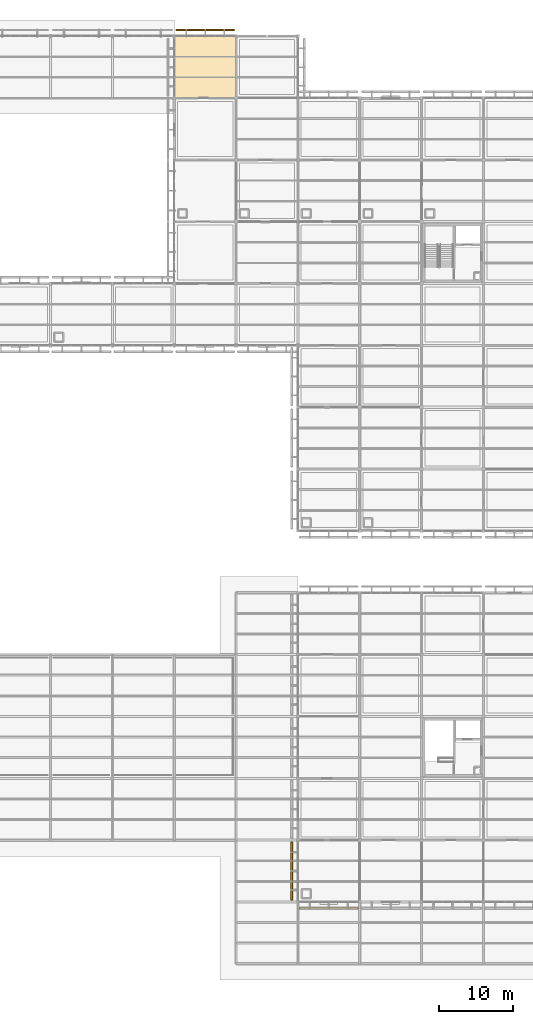
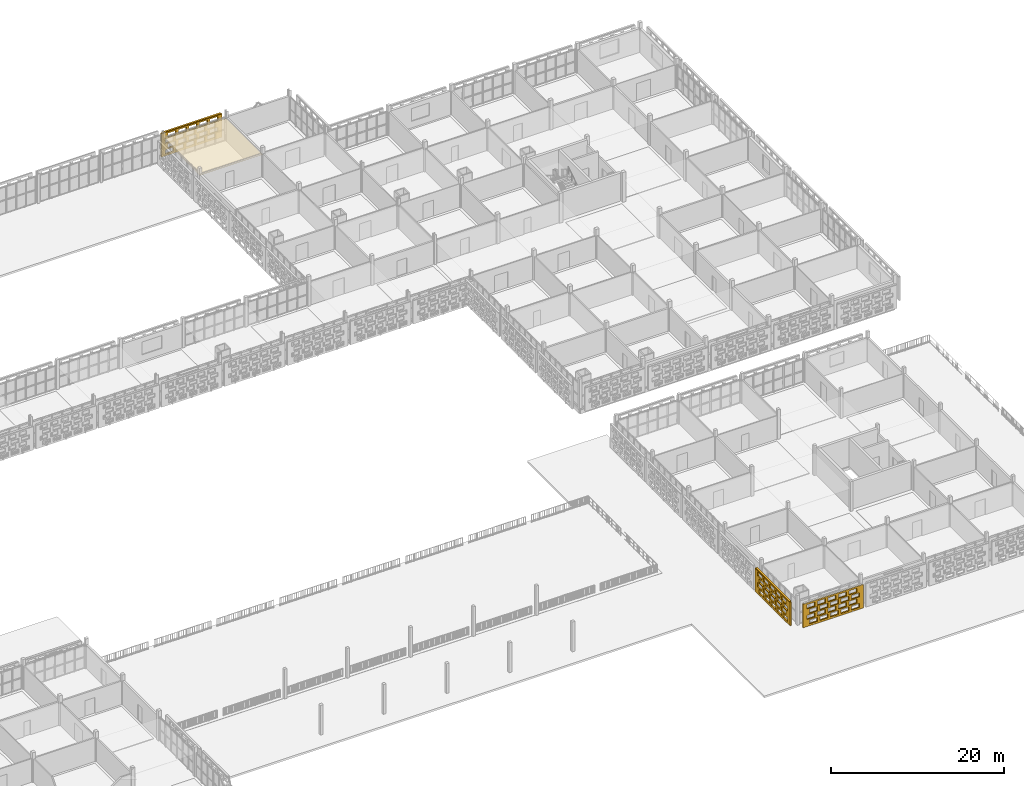
# One storey, part 150 of 166: 4 coverings, 2 shading devices, 60 openings.
"""IFC4 building model written with IfcOpenShell, lengths in metres."""

from ifc_helpers import new_model, si_unit, direction, frame, frame_2d, origin, origin_2d, place, context, subcontext, project, spatial, rectangle, extrude, material, layer, layer_set, type_object, element, save


model = new_model("IFC4")

# Units and contexts
model_context = context("Model", 3, precision=1e-05, world=origin(), true_north=direction((0.0, 1.0)))
body_context = subcontext(model_context, "Body", "Model", "MODEL_VIEW")
ifc_project = project(units=[si_unit("LENGTHUNIT", "METRE"), si_unit("AREAUNIT", "SQUARE_METRE"), si_unit("VOLUMEUNIT", "CUBIC_METRE"), si_unit("PLANEANGLEUNIT", "RADIAN"), si_unit("MASSUNIT", "GRAM", prefix="KILO")], contexts=[model_context])

# Site, building, storey
site_placement = place(None, origin())
site = spatial("IfcSite", under=ifc_project, at=site_placement, CompositionType="ELEMENT")
building_placement = place(site_placement, origin())
building = spatial("IfcBuilding", under=site, at=building_placement, Name="Varnapada Polytechnic", CompositionType="ELEMENT")
storey_placement = place(building_placement, frame((0.0, 0.0, 9.60009765625)))
storey = spatial("IfcBuildingStorey", under=building, at=storey_placement, Name="L02", CompositionType="ELEMENT", Elevation=9.60009765625)

# Covering
ifc_material_1 = material(Name="Mineral Fibre Acoustic Ceiling Tile")
ifc_layer_1 = layer(ifc_material_1, 0.0400390625)
ifc_layer_set_1 = layer_set([ifc_layer_1], Name="Mineral Fibre Acoustic Ceiling Tile")
covering_type_1 = type_object("IfcCoveringType", Name="Suspended Ceiling CLG-01", PredefinedType="CEILING", material=ifc_layer_set_1)
covering_1_placement = place(storey_placement, frame((121.800048828125, 121.800048828125, 3.02978515625), z_axis=(0.0, 0.0, 1.0), x_axis=(1.0, 0.0, 0.0)))
element("IfcCovering", 1, at=covering_1_placement, inside=storey, type_object=covering_type_1, Name="L02 suspended acoustic ceiling (15,15)", PredefinedType="CEILING", context=body_context, shape_type="SweptSolid", body=[
    extrude(rectangle(XDim=8.419921875, YDim=8.419921875, at=origin_2d()), origin(), (0.0, 0.0, 1.0), 0.0400390625),
])

# Covering, openings
ifc_material_2 = material(Name="Earth-toned architectural terracotta screen block", Category="masonry")
ifc_layer_2 = layer(ifc_material_2, 0.1201171875)
ifc_layer_set_2 = layer_set([ifc_layer_2], Name="Earth-toned architectural terracotta screen block")
covering_type_2 = type_object("IfcCoveringType", Name="Terracotta Screen Cladding CLD-01", PredefinedType="CLADDING", material=ifc_layer_set_2)
covering_2_placement = place(storey_placement, frame((117.75, 126.85009765625, 0.0), z_axis=(0.0, 0.0, 1.0), x_axis=(1.0, 0.0, 0.0)))
covering_2 = element("IfcCovering", 2, at=covering_2_placement, inside=storey, type_object=covering_type_2, Name="L02 perforated terracotta block screen (74)", PredefinedType="CLADDING", context=body_context, shape_type="SweptSolid", body=[
    extrude(rectangle(XDim=8.10009765625, YDim=0.179931640625, at=frame_2d((4.050048828125, 0.0))), origin(), (0.0, 0.0, 1.0), 3.31982421875),
])
opening_1_placement = place(covering_2_placement, frame((0.550048828125, 0.0, 0.265625)))
element("IfcOpeningElement", 3, at=opening_1_placement, cuts=covering_2, Name="Screen perforation TBS-L02-073.1", PredefinedType="OPENING", context=body_context, shape_type="SweptSolid", body=[
    extrude(rectangle(XDim=1.0400390625, YDim=0.5810546875, at=frame_2d((0.52001953125, 0.29052734375))), frame((0.0, 0.099853515625, 0.0), z_axis=(0.0, -1.0, 0.0), x_axis=(1.0, 0.0, 0.0)), (0.0, 0.0, 1.0), 0.199951171875),
])
opening_2_placement = place(covering_2_placement, frame((1.949951171875, 0.0, 0.265625)))
element("IfcOpeningElement", 4, at=opening_2_placement, cuts=covering_2, Name="Screen perforation TBS-L02-073.2", PredefinedType="OPENING", context=body_context, shape_type="SweptSolid", body=[
    extrude(rectangle(XDim=1.0400390625, YDim=0.5810546875, at=frame_2d((0.52001953125, 0.29052734375))), frame((0.0, 0.099853515625, 0.0), z_axis=(0.0, -1.0, 0.0), x_axis=(1.0, 0.0, 0.0)), (0.0, 0.0, 1.0), 0.199951171875),
])
opening_3_placement = place(covering_2_placement, frame((3.35009765625, 0.0, 0.265625)))
element("IfcOpeningElement", 5, at=opening_3_placement, cuts=covering_2, Name="Screen perforation TBS-L02-073.3", PredefinedType="OPENING", context=body_context, shape_type="SweptSolid", body=[
    extrude(rectangle(XDim=1.0400390625, YDim=0.5810546875, at=frame_2d((0.52001953125, 0.29052734375))), frame((0.0, 0.099853515625, 0.0), z_axis=(0.0, -1.0, 0.0), x_axis=(1.0, 0.0, 0.0)), (0.0, 0.0, 1.0), 0.199951171875),
])
opening_4_placement = place(covering_2_placement, frame((4.75, 0.0, 0.265625)))
element("IfcOpeningElement", 6, at=opening_4_placement, cuts=covering_2, Name="Screen perforation TBS-L02-073.4", PredefinedType="OPENING", context=body_context, shape_type="SweptSolid", body=[
    extrude(rectangle(XDim=1.0400390625, YDim=0.5810546875, at=frame_2d((0.52001953125, 0.29052734375))), frame((0.0, 0.099853515625, 0.0), z_axis=(0.0, -1.0, 0.0), x_axis=(1.0, 0.0, 0.0)), (0.0, 0.0, 1.0), 0.199951171875),
])
opening_5_placement = place(covering_2_placement, frame((6.14990234375, 0.0, 0.265625)))
element("IfcOpeningElement", 7, at=opening_5_placement, cuts=covering_2, Name="Screen perforation TBS-L02-073.5", PredefinedType="OPENING", context=body_context, shape_type="SweptSolid", body=[
    extrude(rectangle(XDim=1.0400390625, YDim=0.5810546875, at=frame_2d((0.52001953125, 0.29052734375))), frame((0.0, 0.099853515625, 0.0), z_axis=(0.0, -1.0, 0.0), x_axis=(1.0, 0.0, 0.0)), (0.0, 0.0, 1.0), 0.199951171875),
])
opening_6_placement = place(covering_2_placement, frame((0.909912109375, 0.0, 1.0126953125)))
element("IfcOpeningElement", 8, at=opening_6_placement, cuts=covering_2, Name="Screen perforation TBS-L02-073.6", PredefinedType="OPENING", context=body_context, shape_type="SweptSolid", body=[
    extrude(rectangle(XDim=1.0400390625, YDim=0.5810546875, at=frame_2d((0.52001953125, 0.29052734375))), frame((0.0, 0.099853515625, 0.0), z_axis=(0.0, -1.0, 0.0), x_axis=(1.0, 0.0, 0.0)), (0.0, 0.0, 1.0), 0.199951171875),
])
opening_7_placement = place(covering_2_placement, frame((2.31005859375, 0.0, 1.0126953125)))
element("IfcOpeningElement", 9, at=opening_7_placement, cuts=covering_2, Name="Screen perforation TBS-L02-073.7", PredefinedType="OPENING", context=body_context, shape_type="SweptSolid", body=[
    extrude(rectangle(XDim=1.0400390625, YDim=0.5810546875, at=frame_2d((0.52001953125, 0.29052734375))), frame((0.0, 0.099853515625, 0.0), z_axis=(0.0, -1.0, 0.0), x_axis=(1.0, 0.0, 0.0)), (0.0, 0.0, 1.0), 0.199951171875),
])
opening_8_placement = place(covering_2_placement, frame((3.7099609375, 0.0, 1.0126953125)))
element("IfcOpeningElement", 10, at=opening_8_placement, cuts=covering_2, Name="Screen perforation TBS-L02-073.8", PredefinedType="OPENING", context=body_context, shape_type="SweptSolid", body=[
    extrude(rectangle(XDim=1.0400390625, YDim=0.5810546875, at=frame_2d((0.52001953125, 0.29052734375))), frame((0.0, 0.099853515625, 0.0), z_axis=(0.0, -1.0, 0.0), x_axis=(1.0, 0.0, 0.0)), (0.0, 0.0, 1.0), 0.199951171875),
])
opening_9_placement = place(covering_2_placement, frame((5.110107421875, 0.0, 1.0126953125)))
element("IfcOpeningElement", 11, at=opening_9_placement, cuts=covering_2, Name="Screen perforation TBS-L02-073.9", PredefinedType="OPENING", context=body_context, shape_type="SweptSolid", body=[
    extrude(rectangle(XDim=1.0400390625, YDim=0.5810546875, at=frame_2d((0.52001953125, 0.29052734375))), frame((0.0, 0.099853515625, 0.0), z_axis=(0.0, -1.0, 0.0), x_axis=(1.0, 0.0, 0.0)), (0.0, 0.0, 1.0), 0.199951171875),
])
opening_10_placement = place(covering_2_placement, frame((6.510009765625, 0.0, 1.0126953125)))
element("IfcOpeningElement", 12, at=opening_10_placement, cuts=covering_2, Name="Screen perforation TBS-L02-073.10", PredefinedType="OPENING", context=body_context, shape_type="SweptSolid", body=[
    extrude(rectangle(XDim=1.0400390625, YDim=0.5810546875, at=frame_2d((0.52001953125, 0.29052734375))), frame((0.0, 0.099853515625, 0.0), z_axis=(0.0, -1.0, 0.0), x_axis=(1.0, 0.0, 0.0)), (0.0, 0.0, 1.0), 0.199951171875),
])
opening_11_placement = place(covering_2_placement, frame((0.550048828125, 0.0, 1.759521484375)))
element("IfcOpeningElement", 13, at=opening_11_placement, cuts=covering_2, Name="Screen perforation TBS-L02-073.11", PredefinedType="OPENING", context=body_context, shape_type="SweptSolid", body=[
    extrude(rectangle(XDim=1.0400390625, YDim=0.5810546875, at=frame_2d((0.52001953125, 0.29052734375))), frame((0.0, 0.099853515625, 0.0), z_axis=(0.0, -1.0, 0.0), x_axis=(1.0, 0.0, 0.0)), (0.0, 0.0, 1.0), 0.199951171875),
])
opening_12_placement = place(covering_2_placement, frame((1.949951171875, 0.0, 1.759521484375)))
element("IfcOpeningElement", 14, at=opening_12_placement, cuts=covering_2, Name="Screen perforation TBS-L02-073.12", PredefinedType="OPENING", context=body_context, shape_type="SweptSolid", body=[
    extrude(rectangle(XDim=1.0400390625, YDim=0.5810546875, at=frame_2d((0.52001953125, 0.29052734375))), frame((0.0, 0.099853515625, 0.0), z_axis=(0.0, -1.0, 0.0), x_axis=(1.0, 0.0, 0.0)), (0.0, 0.0, 1.0), 0.199951171875),
])
opening_13_placement = place(covering_2_placement, frame((3.35009765625, 0.0, 1.759521484375)))
element("IfcOpeningElement", 15, at=opening_13_placement, cuts=covering_2, Name="Screen perforation TBS-L02-073.13", PredefinedType="OPENING", context=body_context, shape_type="SweptSolid", body=[
    extrude(rectangle(XDim=1.0400390625, YDim=0.5810546875, at=frame_2d((0.52001953125, 0.29052734375))), frame((0.0, 0.099853515625, 0.0), z_axis=(0.0, -1.0, 0.0), x_axis=(1.0, 0.0, 0.0)), (0.0, 0.0, 1.0), 0.199951171875),
])
opening_14_placement = place(covering_2_placement, frame((4.75, 0.0, 1.759521484375)))
element("IfcOpeningElement", 16, at=opening_14_placement, cuts=covering_2, Name="Screen perforation TBS-L02-073.14", PredefinedType="OPENING", context=body_context, shape_type="SweptSolid", body=[
    extrude(rectangle(XDim=1.0400390625, YDim=0.5810546875, at=frame_2d((0.52001953125, 0.29052734375))), frame((0.0, 0.099853515625, 0.0), z_axis=(0.0, -1.0, 0.0), x_axis=(1.0, 0.0, 0.0)), (0.0, 0.0, 1.0), 0.199951171875),
])
opening_15_placement = place(covering_2_placement, frame((6.14990234375, 0.0, 1.759521484375)))
element("IfcOpeningElement", 17, at=opening_15_placement, cuts=covering_2, Name="Screen perforation TBS-L02-073.15", PredefinedType="OPENING", context=body_context, shape_type="SweptSolid", body=[
    extrude(rectangle(XDim=1.0400390625, YDim=0.5810546875, at=frame_2d((0.52001953125, 0.29052734375))), frame((0.0, 0.099853515625, 0.0), z_axis=(0.0, -1.0, 0.0), x_axis=(1.0, 0.0, 0.0)), (0.0, 0.0, 1.0), 0.199951171875),
])
opening_16_placement = place(covering_2_placement, frame((0.909912109375, 0.0, 2.506591796875)))
element("IfcOpeningElement", 18, at=opening_16_placement, cuts=covering_2, Name="Screen perforation TBS-L02-073.16", PredefinedType="OPENING", context=body_context, shape_type="SweptSolid", body=[
    extrude(rectangle(XDim=1.0400390625, YDim=0.5810546875, at=frame_2d((0.52001953125, 0.29052734375))), frame((0.0, 0.099853515625, 0.0), z_axis=(0.0, -1.0, 0.0), x_axis=(1.0, 0.0, 0.0)), (0.0, 0.0, 1.0), 0.199951171875),
])
opening_17_placement = place(covering_2_placement, frame((2.31005859375, 0.0, 2.506591796875)))
element("IfcOpeningElement", 19, at=opening_17_placement, cuts=covering_2, Name="Screen perforation TBS-L02-073.17", PredefinedType="OPENING", context=body_context, shape_type="SweptSolid", body=[
    extrude(rectangle(XDim=1.0400390625, YDim=0.5810546875, at=frame_2d((0.52001953125, 0.29052734375))), frame((0.0, 0.099853515625, 0.0), z_axis=(0.0, -1.0, 0.0), x_axis=(1.0, 0.0, 0.0)), (0.0, 0.0, 1.0), 0.199951171875),
])
opening_18_placement = place(covering_2_placement, frame((3.7099609375, 0.0, 2.506591796875)))
element("IfcOpeningElement", 20, at=opening_18_placement, cuts=covering_2, Name="Screen perforation TBS-L02-073.18", PredefinedType="OPENING", context=body_context, shape_type="SweptSolid", body=[
    extrude(rectangle(XDim=1.0400390625, YDim=0.5810546875, at=frame_2d((0.52001953125, 0.29052734375))), frame((0.0, 0.099853515625, 0.0), z_axis=(0.0, -1.0, 0.0), x_axis=(1.0, 0.0, 0.0)), (0.0, 0.0, 1.0), 0.199951171875),
])
opening_19_placement = place(covering_2_placement, frame((5.110107421875, 0.0, 2.506591796875)))
element("IfcOpeningElement", 21, at=opening_19_placement, cuts=covering_2, Name="Screen perforation TBS-L02-073.19", PredefinedType="OPENING", context=body_context, shape_type="SweptSolid", body=[
    extrude(rectangle(XDim=1.0400390625, YDim=0.5810546875, at=frame_2d((0.52001953125, 0.29052734375))), frame((0.0, 0.099853515625, 0.0), z_axis=(0.0, -1.0, 0.0), x_axis=(1.0, 0.0, 0.0)), (0.0, 0.0, 1.0), 0.199951171875),
])
opening_20_placement = place(covering_2_placement, frame((6.510009765625, 0.0, 2.506591796875)))
element("IfcOpeningElement", 22, at=opening_20_placement, cuts=covering_2, Name="Screen perforation TBS-L02-073.20", PredefinedType="OPENING", context=body_context, shape_type="SweptSolid", body=[
    extrude(rectangle(XDim=1.0400390625, YDim=0.5810546875, at=frame_2d((0.52001953125, 0.29052734375))), frame((0.0, 0.099853515625, 0.0), z_axis=(0.0, -1.0, 0.0), x_axis=(1.0, 0.0, 0.0)), (0.0, 0.0, 1.0), 0.199951171875),
])

covering_3_placement = place(storey_placement, frame((142.6298828125, 7.550048828125, 0.0), z_axis=(0.0, 0.0, 1.0), x_axis=(-1.0, 0.0, 0.0)))
covering_3 = element("IfcCovering", 23, at=covering_3_placement, inside=storey, type_object=covering_type_2, Name="L02 perforated terracotta block screen (79)", PredefinedType="CLADDING", context=body_context, shape_type="SweptSolid", body=[
    extrude(rectangle(XDim=8.059814453125, YDim=0.179931640625, at=frame_2d((4.02978515625, 0.0))), origin(), (0.0, 0.0, 1.0), 3.31982421875),
])
opening_21_placement = place(covering_3_placement, frame((0.530029296875, 0.0, 0.265625)))
element("IfcOpeningElement", 24, at=opening_21_placement, cuts=covering_3, Name="Screen perforation TBS-L02-078.1", PredefinedType="OPENING", context=body_context, shape_type="SweptSolid", body=[
    extrude(rectangle(XDim=1.0400390625, YDim=0.5810546875, at=frame_2d((0.52001953125, 0.29052734375))), frame((0.0, 0.099853515625, 0.0), z_axis=(0.0, -1.0, 0.0), x_axis=(1.0, 0.0, 0.0)), (0.0, 0.0, 1.0), 0.199951171875),
])
opening_22_placement = place(covering_3_placement, frame((1.929931640625, 0.0, 0.265625)))
element("IfcOpeningElement", 25, at=opening_22_placement, cuts=covering_3, Name="Screen perforation TBS-L02-078.2", PredefinedType="OPENING", context=body_context, shape_type="SweptSolid", body=[
    extrude(rectangle(XDim=1.0400390625, YDim=0.5810546875, at=frame_2d((0.52001953125, 0.29052734375))), frame((0.0, 0.099853515625, 0.0), z_axis=(0.0, -1.0, 0.0), x_axis=(1.0, 0.0, 0.0)), (0.0, 0.0, 1.0), 0.199951171875),
])
opening_23_placement = place(covering_3_placement, frame((3.330078125, 0.0, 0.265625)))
element("IfcOpeningElement", 26, at=opening_23_placement, cuts=covering_3, Name="Screen perforation TBS-L02-078.3", PredefinedType="OPENING", context=body_context, shape_type="SweptSolid", body=[
    extrude(rectangle(XDim=1.0400390625, YDim=0.5810546875, at=frame_2d((0.52001953125, 0.29052734375))), frame((0.0, 0.099853515625, 0.0), z_axis=(0.0, -1.0, 0.0), x_axis=(1.0, 0.0, 0.0)), (0.0, 0.0, 1.0), 0.199951171875),
])
opening_24_placement = place(covering_3_placement, frame((4.72998046875, 0.0, 0.265625)))
element("IfcOpeningElement", 27, at=opening_24_placement, cuts=covering_3, Name="Screen perforation TBS-L02-078.4", PredefinedType="OPENING", context=body_context, shape_type="SweptSolid", body=[
    extrude(rectangle(XDim=1.0400390625, YDim=0.5810546875, at=frame_2d((0.52001953125, 0.29052734375))), frame((0.0, 0.099853515625, 0.0), z_axis=(0.0, -1.0, 0.0), x_axis=(1.0, 0.0, 0.0)), (0.0, 0.0, 1.0), 0.199951171875),
])
opening_25_placement = place(covering_3_placement, frame((6.1298828125, 0.0, 0.265625)))
element("IfcOpeningElement", 28, at=opening_25_placement, cuts=covering_3, Name="Screen perforation TBS-L02-078.5", PredefinedType="OPENING", context=body_context, shape_type="SweptSolid", body=[
    extrude(rectangle(XDim=1.0400390625, YDim=0.5810546875, at=frame_2d((0.52001953125, 0.29052734375))), frame((0.0, 0.099853515625, 0.0), z_axis=(0.0, -1.0, 0.0), x_axis=(1.0, 0.0, 0.0)), (0.0, 0.0, 1.0), 0.199951171875),
])
opening_26_placement = place(covering_3_placement, frame((0.889892578125, 0.0, 1.0126953125)))
element("IfcOpeningElement", 29, at=opening_26_placement, cuts=covering_3, Name="Screen perforation TBS-L02-078.6", PredefinedType="OPENING", context=body_context, shape_type="SweptSolid", body=[
    extrude(rectangle(XDim=1.0400390625, YDim=0.5810546875, at=frame_2d((0.52001953125, 0.29052734375))), frame((0.0, 0.099853515625, 0.0), z_axis=(0.0, -1.0, 0.0), x_axis=(1.0, 0.0, 0.0)), (0.0, 0.0, 1.0), 0.199951171875),
])
opening_27_placement = place(covering_3_placement, frame((2.2900390625, 0.0, 1.0126953125)))
element("IfcOpeningElement", 30, at=opening_27_placement, cuts=covering_3, Name="Screen perforation TBS-L02-078.7", PredefinedType="OPENING", context=body_context, shape_type="SweptSolid", body=[
    extrude(rectangle(XDim=1.0400390625, YDim=0.5810546875, at=frame_2d((0.52001953125, 0.29052734375))), frame((0.0, 0.099853515625, 0.0), z_axis=(0.0, -1.0, 0.0), x_axis=(1.0, 0.0, 0.0)), (0.0, 0.0, 1.0), 0.199951171875),
])
opening_28_placement = place(covering_3_placement, frame((3.68994140625, 0.0, 1.0126953125)))
element("IfcOpeningElement", 31, at=opening_28_placement, cuts=covering_3, Name="Screen perforation TBS-L02-078.8", PredefinedType="OPENING", context=body_context, shape_type="SweptSolid", body=[
    extrude(rectangle(XDim=1.0400390625, YDim=0.5810546875, at=frame_2d((0.52001953125, 0.29052734375))), frame((0.0, 0.099853515625, 0.0), z_axis=(0.0, -1.0, 0.0), x_axis=(1.0, 0.0, 0.0)), (0.0, 0.0, 1.0), 0.199951171875),
])
opening_29_placement = place(covering_3_placement, frame((5.090087890625, 0.0, 1.0126953125)))
element("IfcOpeningElement", 32, at=opening_29_placement, cuts=covering_3, Name="Screen perforation TBS-L02-078.9", PredefinedType="OPENING", context=body_context, shape_type="SweptSolid", body=[
    extrude(rectangle(XDim=1.0400390625, YDim=0.5810546875, at=frame_2d((0.52001953125, 0.29052734375))), frame((0.0, 0.099853515625, 0.0), z_axis=(0.0, -1.0, 0.0), x_axis=(1.0, 0.0, 0.0)), (0.0, 0.0, 1.0), 0.199951171875),
])
opening_30_placement = place(covering_3_placement, frame((6.489990234375, 0.0, 1.0126953125)))
element("IfcOpeningElement", 33, at=opening_30_placement, cuts=covering_3, Name="Screen perforation TBS-L02-078.10", PredefinedType="OPENING", context=body_context, shape_type="SweptSolid", body=[
    extrude(rectangle(XDim=1.0400390625, YDim=0.5810546875, at=frame_2d((0.52001953125, 0.29052734375))), frame((0.0, 0.099853515625, 0.0), z_axis=(0.0, -1.0, 0.0), x_axis=(1.0, 0.0, 0.0)), (0.0, 0.0, 1.0), 0.199951171875),
])
opening_31_placement = place(covering_3_placement, frame((0.530029296875, 0.0, 1.759521484375)))
element("IfcOpeningElement", 34, at=opening_31_placement, cuts=covering_3, Name="Screen perforation TBS-L02-078.11", PredefinedType="OPENING", context=body_context, shape_type="SweptSolid", body=[
    extrude(rectangle(XDim=1.0400390625, YDim=0.5810546875, at=frame_2d((0.52001953125, 0.29052734375))), frame((0.0, 0.099853515625, 0.0), z_axis=(0.0, -1.0, 0.0), x_axis=(1.0, 0.0, 0.0)), (0.0, 0.0, 1.0), 0.199951171875),
])
opening_32_placement = place(covering_3_placement, frame((1.929931640625, 0.0, 1.759521484375)))
element("IfcOpeningElement", 35, at=opening_32_placement, cuts=covering_3, Name="Screen perforation TBS-L02-078.12", PredefinedType="OPENING", context=body_context, shape_type="SweptSolid", body=[
    extrude(rectangle(XDim=1.0400390625, YDim=0.5810546875, at=frame_2d((0.52001953125, 0.29052734375))), frame((0.0, 0.099853515625, 0.0), z_axis=(0.0, -1.0, 0.0), x_axis=(1.0, 0.0, 0.0)), (0.0, 0.0, 1.0), 0.199951171875),
])
opening_33_placement = place(covering_3_placement, frame((3.330078125, 0.0, 1.759521484375)))
element("IfcOpeningElement", 36, at=opening_33_placement, cuts=covering_3, Name="Screen perforation TBS-L02-078.13", PredefinedType="OPENING", context=body_context, shape_type="SweptSolid", body=[
    extrude(rectangle(XDim=1.0400390625, YDim=0.5810546875, at=frame_2d((0.52001953125, 0.29052734375))), frame((0.0, 0.099853515625, 0.0), z_axis=(0.0, -1.0, 0.0), x_axis=(1.0, 0.0, 0.0)), (0.0, 0.0, 1.0), 0.199951171875),
])
opening_34_placement = place(covering_3_placement, frame((4.72998046875, 0.0, 1.759521484375)))
element("IfcOpeningElement", 37, at=opening_34_placement, cuts=covering_3, Name="Screen perforation TBS-L02-078.14", PredefinedType="OPENING", context=body_context, shape_type="SweptSolid", body=[
    extrude(rectangle(XDim=1.0400390625, YDim=0.5810546875, at=frame_2d((0.52001953125, 0.29052734375))), frame((0.0, 0.099853515625, 0.0), z_axis=(0.0, -1.0, 0.0), x_axis=(1.0, 0.0, 0.0)), (0.0, 0.0, 1.0), 0.199951171875),
])
opening_35_placement = place(covering_3_placement, frame((6.1298828125, 0.0, 1.759521484375)))
element("IfcOpeningElement", 38, at=opening_35_placement, cuts=covering_3, Name="Screen perforation TBS-L02-078.15", PredefinedType="OPENING", context=body_context, shape_type="SweptSolid", body=[
    extrude(rectangle(XDim=1.0400390625, YDim=0.5810546875, at=frame_2d((0.52001953125, 0.29052734375))), frame((0.0, 0.099853515625, 0.0), z_axis=(0.0, -1.0, 0.0), x_axis=(1.0, 0.0, 0.0)), (0.0, 0.0, 1.0), 0.199951171875),
])
opening_36_placement = place(covering_3_placement, frame((0.889892578125, 0.0, 2.506591796875)))
element("IfcOpeningElement", 39, at=opening_36_placement, cuts=covering_3, Name="Screen perforation TBS-L02-078.16", PredefinedType="OPENING", context=body_context, shape_type="SweptSolid", body=[
    extrude(rectangle(XDim=1.0400390625, YDim=0.5810546875, at=frame_2d((0.52001953125, 0.29052734375))), frame((0.0, 0.099853515625, 0.0), z_axis=(0.0, -1.0, 0.0), x_axis=(1.0, 0.0, 0.0)), (0.0, 0.0, 1.0), 0.199951171875),
])
opening_37_placement = place(covering_3_placement, frame((2.2900390625, 0.0, 2.506591796875)))
element("IfcOpeningElement", 40, at=opening_37_placement, cuts=covering_3, Name="Screen perforation TBS-L02-078.17", PredefinedType="OPENING", context=body_context, shape_type="SweptSolid", body=[
    extrude(rectangle(XDim=1.0400390625, YDim=0.5810546875, at=frame_2d((0.52001953125, 0.29052734375))), frame((0.0, 0.099853515625, 0.0), z_axis=(0.0, -1.0, 0.0), x_axis=(1.0, 0.0, 0.0)), (0.0, 0.0, 1.0), 0.199951171875),
])
opening_38_placement = place(covering_3_placement, frame((3.68994140625, 0.0, 2.506591796875)))
element("IfcOpeningElement", 41, at=opening_38_placement, cuts=covering_3, Name="Screen perforation TBS-L02-078.18", PredefinedType="OPENING", context=body_context, shape_type="SweptSolid", body=[
    extrude(rectangle(XDim=1.0400390625, YDim=0.5810546875, at=frame_2d((0.52001953125, 0.29052734375))), frame((0.0, 0.099853515625, 0.0), z_axis=(0.0, -1.0, 0.0), x_axis=(1.0, 0.0, 0.0)), (0.0, 0.0, 1.0), 0.199951171875),
])
opening_39_placement = place(covering_3_placement, frame((5.090087890625, 0.0, 2.506591796875)))
element("IfcOpeningElement", 42, at=opening_39_placement, cuts=covering_3, Name="Screen perforation TBS-L02-078.19", PredefinedType="OPENING", context=body_context, shape_type="SweptSolid", body=[
    extrude(rectangle(XDim=1.0400390625, YDim=0.5810546875, at=frame_2d((0.52001953125, 0.29052734375))), frame((0.0, 0.099853515625, 0.0), z_axis=(0.0, -1.0, 0.0), x_axis=(1.0, 0.0, 0.0)), (0.0, 0.0, 1.0), 0.199951171875),
])
opening_40_placement = place(covering_3_placement, frame((6.489990234375, 0.0, 2.506591796875)))
element("IfcOpeningElement", 43, at=opening_40_placement, cuts=covering_3, Name="Screen perforation TBS-L02-078.20", PredefinedType="OPENING", context=body_context, shape_type="SweptSolid", body=[
    extrude(rectangle(XDim=1.0400390625, YDim=0.5810546875, at=frame_2d((0.52001953125, 0.29052734375))), frame((0.0, 0.099853515625, 0.0), z_axis=(0.0, -1.0, 0.0), x_axis=(1.0, 0.0, 0.0)), (0.0, 0.0, 1.0), 0.199951171875),
])

covering_4_placement = place(storey_placement, frame((133.550048828125, 8.570068359375, 0.0), z_axis=(0.0, 0.0, 1.0), x_axis=(0.0, 1.0, 0.0)))
covering_4 = element("IfcCovering", 44, at=covering_4_placement, inside=storey, type_object=covering_type_2, Name="L02 perforated terracotta block screen (80)", PredefinedType="CLADDING", context=body_context, shape_type="SweptSolid", body=[
    extrude(rectangle(XDim=8.050048828125, YDim=0.179931640625, at=frame_2d((4.02490234375, 0.0))), origin(), (0.0, 0.0, 1.0), 3.31982421875),
])
opening_41_placement = place(covering_4_placement, frame((0.52490234375, 0.0, 0.265625)))
element("IfcOpeningElement", 45, at=opening_41_placement, cuts=covering_4, Name="Screen perforation TBS-L02-079.1", PredefinedType="OPENING", context=body_context, shape_type="SweptSolid", body=[
    extrude(rectangle(XDim=1.0400390625, YDim=0.5810546875, at=frame_2d((0.52001953125, 0.29052734375))), frame((0.0, 0.099853515625, 0.0), z_axis=(0.0, -1.0, 0.0), x_axis=(1.0, 0.0, 0.0)), (0.0, 0.0, 1.0), 0.199951171875),
])
opening_42_placement = place(covering_4_placement, frame((1.925048828125, 0.0, 0.265625)))
element("IfcOpeningElement", 46, at=opening_42_placement, cuts=covering_4, Name="Screen perforation TBS-L02-079.2", PredefinedType="OPENING", context=body_context, shape_type="SweptSolid", body=[
    extrude(rectangle(XDim=1.0400390625, YDim=0.5810546875, at=frame_2d((0.52001953125, 0.29052734375))), frame((0.0, 0.099853515625, 0.0), z_axis=(0.0, -1.0, 0.0), x_axis=(1.0, 0.0, 0.0)), (0.0, 0.0, 1.0), 0.199951171875),
])
opening_43_placement = place(covering_4_placement, frame((3.324951171875, 0.0, 0.265625)))
element("IfcOpeningElement", 47, at=opening_43_placement, cuts=covering_4, Name="Screen perforation TBS-L02-079.3", PredefinedType="OPENING", context=body_context, shape_type="SweptSolid", body=[
    extrude(rectangle(XDim=1.0400390625, YDim=0.5810546875, at=frame_2d((0.52001953125, 0.29052734375))), frame((0.0, 0.099853515625, 0.0), z_axis=(0.0, -1.0, 0.0), x_axis=(1.0, 0.0, 0.0)), (0.0, 0.0, 1.0), 0.199951171875),
])
opening_44_placement = place(covering_4_placement, frame((4.72509765625, 0.0, 0.265625)))
element("IfcOpeningElement", 48, at=opening_44_placement, cuts=covering_4, Name="Screen perforation TBS-L02-079.4", PredefinedType="OPENING", context=body_context, shape_type="SweptSolid", body=[
    extrude(rectangle(XDim=1.0400390625, YDim=0.5810546875, at=frame_2d((0.52001953125, 0.29052734375))), frame((0.0, 0.099853515625, 0.0), z_axis=(0.0, -1.0, 0.0), x_axis=(1.0, 0.0, 0.0)), (0.0, 0.0, 1.0), 0.199951171875),
])
opening_45_placement = place(covering_4_placement, frame((6.125, 0.0, 0.265625)))
element("IfcOpeningElement", 49, at=opening_45_placement, cuts=covering_4, Name="Screen perforation TBS-L02-079.5", PredefinedType="OPENING", context=body_context, shape_type="SweptSolid", body=[
    extrude(rectangle(XDim=1.0400390625, YDim=0.5810546875, at=frame_2d((0.52001953125, 0.29052734375))), frame((0.0, 0.099853515625, 0.0), z_axis=(0.0, -1.0, 0.0), x_axis=(1.0, 0.0, 0.0)), (0.0, 0.0, 1.0), 0.199951171875),
])
opening_46_placement = place(covering_4_placement, frame((0.885009765625, 0.0, 1.0126953125)))
element("IfcOpeningElement", 50, at=opening_46_placement, cuts=covering_4, Name="Screen perforation TBS-L02-079.6", PredefinedType="OPENING", context=body_context, shape_type="SweptSolid", body=[
    extrude(rectangle(XDim=1.0400390625, YDim=0.5810546875, at=frame_2d((0.52001953125, 0.29052734375))), frame((0.0, 0.099853515625, 0.0), z_axis=(0.0, -1.0, 0.0), x_axis=(1.0, 0.0, 0.0)), (0.0, 0.0, 1.0), 0.199951171875),
])
opening_47_placement = place(covering_4_placement, frame((2.284912109375, 0.0, 1.0126953125)))
element("IfcOpeningElement", 51, at=opening_47_placement, cuts=covering_4, Name="Screen perforation TBS-L02-079.7", PredefinedType="OPENING", context=body_context, shape_type="SweptSolid", body=[
    extrude(rectangle(XDim=1.0400390625, YDim=0.5810546875, at=frame_2d((0.52001953125, 0.29052734375))), frame((0.0, 0.099853515625, 0.0), z_axis=(0.0, -1.0, 0.0), x_axis=(1.0, 0.0, 0.0)), (0.0, 0.0, 1.0), 0.199951171875),
])
opening_48_placement = place(covering_4_placement, frame((3.68505859375, 0.0, 1.0126953125)))
element("IfcOpeningElement", 52, at=opening_48_placement, cuts=covering_4, Name="Screen perforation TBS-L02-079.8", PredefinedType="OPENING", context=body_context, shape_type="SweptSolid", body=[
    extrude(rectangle(XDim=1.0400390625, YDim=0.5810546875, at=frame_2d((0.52001953125, 0.29052734375))), frame((0.0, 0.099853515625, 0.0), z_axis=(0.0, -1.0, 0.0), x_axis=(1.0, 0.0, 0.0)), (0.0, 0.0, 1.0), 0.199951171875),
])
opening_49_placement = place(covering_4_placement, frame((5.0849609375, 0.0, 1.0126953125)))
element("IfcOpeningElement", 53, at=opening_49_placement, cuts=covering_4, Name="Screen perforation TBS-L02-079.9", PredefinedType="OPENING", context=body_context, shape_type="SweptSolid", body=[
    extrude(rectangle(XDim=1.0400390625, YDim=0.5810546875, at=frame_2d((0.52001953125, 0.29052734375))), frame((0.0, 0.099853515625, 0.0), z_axis=(0.0, -1.0, 0.0), x_axis=(1.0, 0.0, 0.0)), (0.0, 0.0, 1.0), 0.199951171875),
])
opening_50_placement = place(covering_4_placement, frame((6.485107421875, 0.0, 1.0126953125)))
element("IfcOpeningElement", 54, at=opening_50_placement, cuts=covering_4, Name="Screen perforation TBS-L02-079.10", PredefinedType="OPENING", context=body_context, shape_type="SweptSolid", body=[
    extrude(rectangle(XDim=1.0400390625, YDim=0.5810546875, at=frame_2d((0.52001953125, 0.29052734375))), frame((0.0, 0.099853515625, 0.0), z_axis=(0.0, -1.0, 0.0), x_axis=(1.0, 0.0, 0.0)), (0.0, 0.0, 1.0), 0.199951171875),
])
opening_51_placement = place(covering_4_placement, frame((0.52490234375, 0.0, 1.759521484375)))
element("IfcOpeningElement", 55, at=opening_51_placement, cuts=covering_4, Name="Screen perforation TBS-L02-079.11", PredefinedType="OPENING", context=body_context, shape_type="SweptSolid", body=[
    extrude(rectangle(XDim=1.0400390625, YDim=0.5810546875, at=frame_2d((0.52001953125, 0.29052734375))), frame((0.0, 0.099853515625, 0.0), z_axis=(0.0, -1.0, 0.0), x_axis=(1.0, 0.0, 0.0)), (0.0, 0.0, 1.0), 0.199951171875),
])
opening_52_placement = place(covering_4_placement, frame((1.925048828125, 0.0, 1.759521484375)))
element("IfcOpeningElement", 56, at=opening_52_placement, cuts=covering_4, Name="Screen perforation TBS-L02-079.12", PredefinedType="OPENING", context=body_context, shape_type="SweptSolid", body=[
    extrude(rectangle(XDim=1.0400390625, YDim=0.5810546875, at=frame_2d((0.52001953125, 0.29052734375))), frame((0.0, 0.099853515625, 0.0), z_axis=(0.0, -1.0, 0.0), x_axis=(1.0, 0.0, 0.0)), (0.0, 0.0, 1.0), 0.199951171875),
])
opening_53_placement = place(covering_4_placement, frame((3.324951171875, 0.0, 1.759521484375)))
element("IfcOpeningElement", 57, at=opening_53_placement, cuts=covering_4, Name="Screen perforation TBS-L02-079.13", PredefinedType="OPENING", context=body_context, shape_type="SweptSolid", body=[
    extrude(rectangle(XDim=1.0400390625, YDim=0.5810546875, at=frame_2d((0.52001953125, 0.29052734375))), frame((0.0, 0.099853515625, 0.0), z_axis=(0.0, -1.0, 0.0), x_axis=(1.0, 0.0, 0.0)), (0.0, 0.0, 1.0), 0.199951171875),
])
opening_54_placement = place(covering_4_placement, frame((4.72509765625, 0.0, 1.759521484375)))
element("IfcOpeningElement", 58, at=opening_54_placement, cuts=covering_4, Name="Screen perforation TBS-L02-079.14", PredefinedType="OPENING", context=body_context, shape_type="SweptSolid", body=[
    extrude(rectangle(XDim=1.0400390625, YDim=0.5810546875, at=frame_2d((0.52001953125, 0.29052734375))), frame((0.0, 0.099853515625, 0.0), z_axis=(0.0, -1.0, 0.0), x_axis=(1.0, 0.0, 0.0)), (0.0, 0.0, 1.0), 0.199951171875),
])
opening_55_placement = place(covering_4_placement, frame((6.125, 0.0, 1.759521484375)))
element("IfcOpeningElement", 59, at=opening_55_placement, cuts=covering_4, Name="Screen perforation TBS-L02-079.15", PredefinedType="OPENING", context=body_context, shape_type="SweptSolid", body=[
    extrude(rectangle(XDim=1.0400390625, YDim=0.5810546875, at=frame_2d((0.52001953125, 0.29052734375))), frame((0.0, 0.099853515625, 0.0), z_axis=(0.0, -1.0, 0.0), x_axis=(1.0, 0.0, 0.0)), (0.0, 0.0, 1.0), 0.199951171875),
])
opening_56_placement = place(covering_4_placement, frame((0.885009765625, 0.0, 2.506591796875)))
element("IfcOpeningElement", 60, at=opening_56_placement, cuts=covering_4, Name="Screen perforation TBS-L02-079.16", PredefinedType="OPENING", context=body_context, shape_type="SweptSolid", body=[
    extrude(rectangle(XDim=1.0400390625, YDim=0.5810546875, at=frame_2d((0.52001953125, 0.29052734375))), frame((0.0, 0.099853515625, 0.0), z_axis=(0.0, -1.0, 0.0), x_axis=(1.0, 0.0, 0.0)), (0.0, 0.0, 1.0), 0.199951171875),
])
opening_57_placement = place(covering_4_placement, frame((2.284912109375, 0.0, 2.506591796875)))
element("IfcOpeningElement", 61, at=opening_57_placement, cuts=covering_4, Name="Screen perforation TBS-L02-079.17", PredefinedType="OPENING", context=body_context, shape_type="SweptSolid", body=[
    extrude(rectangle(XDim=1.0400390625, YDim=0.5810546875, at=frame_2d((0.52001953125, 0.29052734375))), frame((0.0, 0.099853515625, 0.0), z_axis=(0.0, -1.0, 0.0), x_axis=(1.0, 0.0, 0.0)), (0.0, 0.0, 1.0), 0.199951171875),
])
opening_58_placement = place(covering_4_placement, frame((3.68505859375, 0.0, 2.506591796875)))
element("IfcOpeningElement", 62, at=opening_58_placement, cuts=covering_4, Name="Screen perforation TBS-L02-079.18", PredefinedType="OPENING", context=body_context, shape_type="SweptSolid", body=[
    extrude(rectangle(XDim=1.0400390625, YDim=0.5810546875, at=frame_2d((0.52001953125, 0.29052734375))), frame((0.0, 0.099853515625, 0.0), z_axis=(0.0, -1.0, 0.0), x_axis=(1.0, 0.0, 0.0)), (0.0, 0.0, 1.0), 0.199951171875),
])
opening_59_placement = place(covering_4_placement, frame((5.0849609375, 0.0, 2.506591796875)))
element("IfcOpeningElement", 63, at=opening_59_placement, cuts=covering_4, Name="Screen perforation TBS-L02-079.19", PredefinedType="OPENING", context=body_context, shape_type="SweptSolid", body=[
    extrude(rectangle(XDim=1.0400390625, YDim=0.5810546875, at=frame_2d((0.52001953125, 0.29052734375))), frame((0.0, 0.099853515625, 0.0), z_axis=(0.0, -1.0, 0.0), x_axis=(1.0, 0.0, 0.0)), (0.0, 0.0, 1.0), 0.199951171875),
])
opening_60_placement = place(covering_4_placement, frame((6.485107421875, 0.0, 2.506591796875)))
element("IfcOpeningElement", 64, at=opening_60_placement, cuts=covering_4, Name="Screen perforation TBS-L02-079.20", PredefinedType="OPENING", context=body_context, shape_type="SweptSolid", body=[
    extrude(rectangle(XDim=1.0400390625, YDim=0.5810546875, at=frame_2d((0.52001953125, 0.29052734375))), frame((0.0, 0.099853515625, 0.0), z_axis=(0.0, -1.0, 0.0), x_axis=(1.0, 0.0, 0.0)), (0.0, 0.0, 1.0), 0.199951171875),
])

# Shading devices
ifc_layer_3 = layer(ifc_material_2, 0.179931640625)
ifc_layer_set_3 = layer_set([ifc_layer_3], Name="Earth-toned architectural terracotta screen block")
shading_device_type = type_object("IfcShadingDeviceType", Name="Terracotta Screen SCR-01", PredefinedType="USERDEFINED", material=ifc_layer_set_3)
shading_device_1_placement = place(storey_placement, frame((121.800048828125, 126.85009765625, 3.309814453125), z_axis=(0.0, 0.0, 1.0), x_axis=(1.0, 0.0, 0.0)))
element("IfcShadingDevice", 65, at=shading_device_1_placement, inside=storey, type_object=shading_device_type, Name="L02 perforated terracotta screen hood 299", ObjectType="SCREEN", PredefinedType="USERDEFINED", context=body_context, shape_type="SweptSolid", body=[
    extrude(rectangle(XDim=7.89990234375, YDim=0.239990234375, at=origin_2d()), origin(), (0.0, 0.0, 1.0), 0.10009765625),
])
shading_device_2_placement = place(storey_placement, frame((133.550048828125, 12.594970703125, 3.309814453125), z_axis=(0.0, 0.0, 1.0), x_axis=(0.0, 1.0, 0.0)))
element("IfcShadingDevice", 66, at=shading_device_2_placement, inside=storey, type_object=shading_device_type, Name="L02 perforated terracotta screen hood 304", ObjectType="SCREEN", PredefinedType="USERDEFINED", context=body_context, shape_type="SweptSolid", body=[
    extrude(rectangle(XDim=7.85009765625, YDim=0.239990234375, at=origin_2d()), origin(), (0.0, 0.0, 1.0), 0.10009765625),
])

save(model, "model.ifc")
